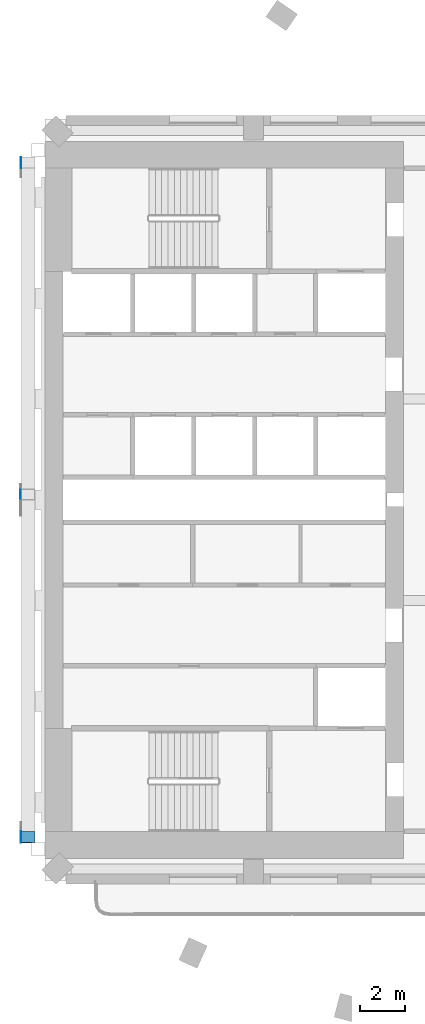
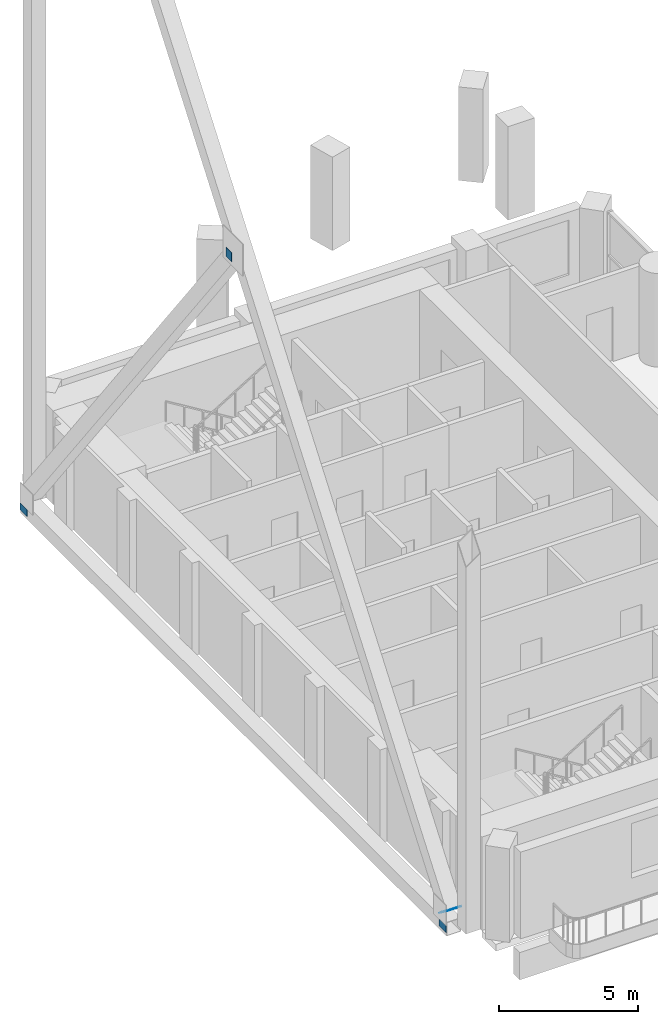
# One storey, part 8 of 16: 4 discrete accessories.
"""IFC4 building model written with IfcOpenShell, lengths in metres."""

from ifc_helpers import new_model, si_unit, direction, frame, origin, origin_2d, place, context, subcontext, project, spatial, rectangle, extrude, material, material_profile, profile_set, type_object, element, save


model = new_model("IFC4")

# Units and contexts
model_context = context("Model", 3, precision=1e-05, world=origin(), true_north=direction((0.0, 1.0)))
body_context = subcontext(model_context, "Body", "Model", "MODEL_VIEW")
ifc_project = project(units=[si_unit("LENGTHUNIT", "METRE"), si_unit("AREAUNIT", "SQUARE_METRE"), si_unit("VOLUMEUNIT", "CUBIC_METRE"), si_unit("PLANEANGLEUNIT", "RADIAN"), si_unit("MASSUNIT", "GRAM", prefix="KILO")], contexts=[model_context])

# Site, building, storey
site_placement = place(None, origin())
site = spatial("IfcSite", under=ifc_project, at=site_placement, CompositionType="ELEMENT")
building_placement = place(site_placement, origin())
building = spatial("IfcBuilding", under=site, at=building_placement, Name="Cypress Arch Tower", CompositionType="ELEMENT")
storey_placement = place(building_placement, frame((0.0, 0.0, 197.39990234375)))
storey = spatial("IfcBuildingStorey", under=building, at=storey_placement, Name="L43", CompositionType="ELEMENT", Elevation=197.39990234375)

# Discrete accessories
ifc_material_1 = material(Name="Steel ASTM A992", Category="steel")
ifc_material_profile_1 = material_profile(ifc_material_1, rectangle(XDim=0.609619140625, YDim=0.609619140625, at=origin_2d()), Name="PL 20 610x610")
ifc_profile_set_1 = profile_set([ifc_material_profile_1], Name="Steel ASTM A992")
discrete_accessory_type_1 = type_object("IfcDiscreteAccessoryType", Name="End cap plate 610x610x20 Steel ASTM A992", PredefinedType="ANCHORPLATE", material=ifc_profile_set_1)
discrete_accessory_1_placement = place(storey_placement, frame((-30.7548828125, -15.052734375, 0.625), z_axis=(0.0, -0.601963784982, -0.798523388242), x_axis=(1.0, 0.0, 0.0)))
element("IfcDiscreteAccessory", 1, at=discrete_accessory_1_placement, inside=storey, type_object=discrete_accessory_type_1, Name="End cap plate west bracing 4", PredefinedType="ANCHORPLATE", context=body_context, shape_type="SweptSolid", body=[
    extrude(rectangle(XDim=0.609619140625, YDim=0.609619140625, at=origin_2d()), origin(), (0.0, 0.0, 1.0), 0.019775390625),
])
ifc_material_2 = material(Name="Steel ASTM A992", Category="steel")
ifc_material_profile_2 = material_profile(ifc_material_2, rectangle(XDim=0.5, YDim=0.300048828125, at=origin_2d()), Name="PL 20 500x300")
ifc_profile_set_2 = profile_set([ifc_material_profile_2], Name="Steel ASTM A992")
discrete_accessory_type_2 = type_object("IfcDiscreteAccessoryType", Name="West bracing chord end plate 500x300x20 Steel ASTM A992", PredefinedType="ANCHORPLATE", material=ifc_profile_set_2)
for number, where, z_axis, x_axis, name in (
    (2, (-31.0595703125, -15.045166015625, 0.0), (-1.0, 0.0, 0.0), (0.0, -1.0, 0.0), "End plate west bracing chord 4S"),
    (3, (-31.0595703125, 15.045166015625, 0.0), (-1.0, 0.0, 0.0), (0.0, -1.0, 0.0), "End plate west bracing chord 4N"),
):
    element("IfcDiscreteAccessory", number, at=place(storey_placement, frame(where, z_axis=z_axis, x_axis=x_axis)), inside=storey, type_object=discrete_accessory_type_2, Name=name, PredefinedType="ANCHORPLATE", context=body_context, shape_type="SweptSolid", body=[
        extrude(rectangle(XDim=0.5, YDim=0.300048828125, at=origin_2d()), origin(), (0.0, 0.0, 1.0), 0.02001953125),
    ])
ifc_material_3 = material(Name="Steel ASTM A992", Category="steel")
ifc_material_profile_3 = material_profile(ifc_material_3, rectangle(XDim=0.39990234375, YDim=0.39990234375, at=origin_2d()), Name="PL 20 400x400")
ifc_profile_set_3 = profile_set([ifc_material_profile_3], Name="Steel ASTM A992")
discrete_accessory_type_3 = type_object("IfcDiscreteAccessoryType", Name="West bracing diagonal end plate 400x400x20 Steel ASTM A992", PredefinedType="ANCHORPLATE", material=ifc_profile_set_3)
discrete_accessory_2_placement = place(storey_placement, frame((-31.099609375, 0.24267578125, 20.1796875), z_axis=(-1.0, 0.0, 0.0), x_axis=(0.0, -1.0, 0.0)))
element("IfcDiscreteAccessory", 4, at=discrete_accessory_2_placement, inside=storey, type_object=discrete_accessory_type_3, Name="End plate west bracing diagonal 4C", PredefinedType="ANCHORPLATE", context=body_context, shape_type="SweptSolid", body=[
    extrude(rectangle(XDim=0.39990234375, YDim=0.39990234375, at=origin_2d()), origin(), (0.0, 0.0, 1.0), 0.02001953125),
])

save(model, "model.ifc")
